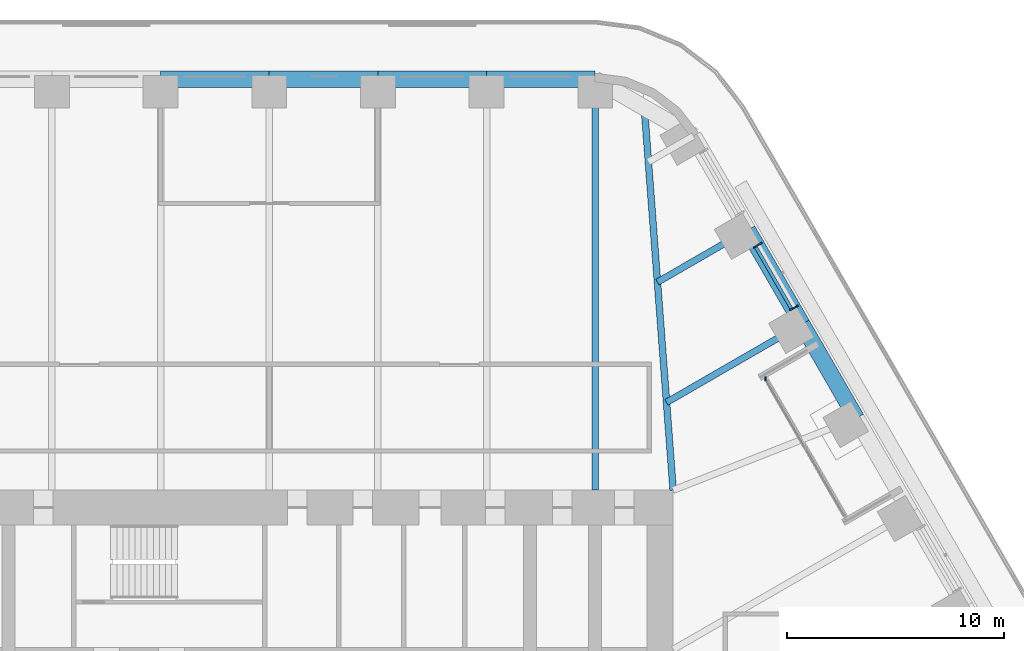
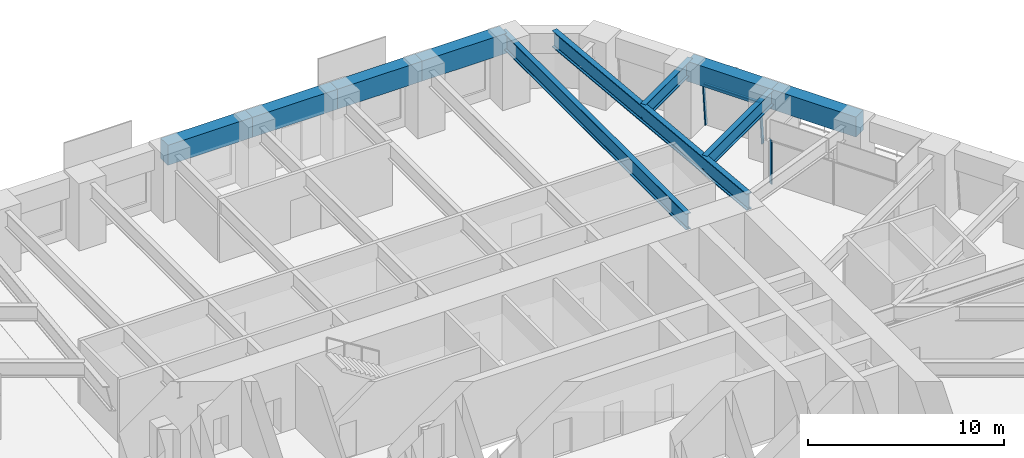
# One storey, part 12 of 24: 10 beams, 4 members, 2 elements without a shape of their own.
"""IFC4 building model written with IfcOpenShell, lengths in metres."""

from ifc_helpers import new_model, si_unit, direction, frame, origin, origin_2d, place, context, subcontext, project, spatial, rectangle, i_section, extrude, material, material_profile, profile_set, type_object, element, aggregate, save


model = new_model("IFC4")

# Units and contexts
model_context = context("Model", 3, precision=1e-05, world=origin(), true_north=direction((0.0, 1.0)))
body_context = subcontext(model_context, "Body", "Model", "MODEL_VIEW")
ifc_project = project(units=[si_unit("LENGTHUNIT", "METRE"), si_unit("AREAUNIT", "SQUARE_METRE"), si_unit("VOLUMEUNIT", "CUBIC_METRE"), si_unit("PLANEANGLEUNIT", "RADIAN"), si_unit("MASSUNIT", "GRAM", prefix="KILO")], contexts=[model_context])

# Site, building, storey
site_placement = place(None, origin())
site = spatial("IfcSite", under=ifc_project, at=site_placement, CompositionType="ELEMENT")
building_placement = place(site_placement, origin())
building = spatial("IfcBuilding", under=site, at=building_placement, Name="Tarfa Lantern Tower", CompositionType="ELEMENT")
storey_placement = place(building_placement, frame((0.0, 0.0, 157.300048828125)))
storey = spatial("IfcBuildingStorey", under=building, at=storey_placement, Name="L35", CompositionType="ELEMENT", Elevation=157.300048828125)

# Curtain wall, members
ifc_material_1 = material(Name="Aluminium framed curtain wall", Category="aluminium")
curtain_wall_type_1 = type_object("IfcCurtainWallType", Name="CW2 CANTED GLAZING MID ZONE 2750", PredefinedType="USERDEFINED", material=ifc_material_1)
curtain_wall_1_placement = place(storey_placement, origin())
curtain_wall_1 = element("IfcCurtainWall", 1, at=curtain_wall_1_placement, inside=storey, type_object=curtain_wall_type_1, Name="CW2 NEB L35", ObjectType="CURTAIN WALL", PredefinedType="USERDEFINED")
ifc_material_2 = material(Name="Aluminium mullion", Category="aluminium")
ifc_material_profile_1 = material_profile(ifc_material_2, rectangle(XDim=0.06494140625, YDim=0.199951171875, at=origin_2d()), Name="AL MULLION 65x200")
ifc_profile_set_1 = profile_set([ifc_material_profile_1], Name="Aluminium mullion")
member_type_1 = type_object("IfcMemberType", Name="CWM1 MULLION 65x200", PredefinedType="MULLION", material=ifc_profile_set_1)
member_1_placement = place(storey_placement, frame((24.275146484375, 20.75439453125, 0.0), z_axis=(-0.078422950161, -0.045267813396, 0.995891894715), x_axis=(0.499919672301, -0.866071776036, 0.0)))
member_1 = element("IfcMember", 2, at=member_1_placement, type_object=member_type_1, Name="CW2 mullion 1", PredefinedType="MULLION", context=body_context, shape_type="SweptSolid", body=[
    extrude(rectangle(XDim=0.06494140625, YDim=0.199951171875, at=origin_2d()), origin(), (0.0, 0.0, 1.0), 2.76123046875),
])
member_2_placement = place(storey_placement, frame((22.605712890625, 23.645751953125, 0.0), z_axis=(-0.078422950161, -0.045267813396, 0.995891894715), x_axis=(0.499919672301, -0.866071776036, 0.0)))
member_2 = element("IfcMember", 3, at=member_2_placement, type_object=member_type_1, Name="CW2 mullion 2", PredefinedType="MULLION", context=body_context, shape_type="SweptSolid", body=[
    extrude(rectangle(XDim=0.06494140625, YDim=0.199951171875, at=origin_2d()), origin(), (0.0, 0.0, 1.0), 2.76123046875),
])

# Curtain wall, member
curtain_wall_type_2 = type_object("IfcCurtainWallType", Name="CW10 LOGGIA GLAZING 2750", PredefinedType="USERDEFINED", material=ifc_material_1)
curtain_wall_2_placement = place(storey_placement, origin())
curtain_wall_2 = element("IfcCurtainWall", 4, at=curtain_wall_2_placement, inside=storey, type_object=curtain_wall_type_2, Name="CW10 NEL L35", ObjectType="CURTAIN WALL", PredefinedType="USERDEFINED")
member_3_placement = place(storey_placement, frame((22.84619140625, 17.429443359375, 0.0), z_axis=(0.0, 0.0, 1.0), x_axis=(1.0, 0.0, 0.0)))
member_3 = element("IfcMember", 5, at=member_3_placement, type_object=member_type_1, Name="CW10 mullion 3", PredefinedType="MULLION", context=body_context, shape_type="SweptSolid", body=[
    extrude(rectangle(XDim=0.06494140625, YDim=0.199951171875, at=origin_2d()), origin(), (0.0, 0.0, 1.0), 2.75),
])
aggregate(curtain_wall_2, [member_3])

# Member
ifc_material_3 = material(Name="Aluminium transom", Category="aluminium")
ifc_material_profile_2 = material_profile(ifc_material_3, rectangle(XDim=0.14990234375, YDim=0.06494140625, at=origin_2d()), Name="AL TRANSOM 150x65")
ifc_profile_set_2 = profile_set([ifc_material_profile_2], Name="Aluminium transom")
member_type_2 = type_object("IfcMemberType", Name="CWT1 TRANSOM 150x65", PredefinedType="USERDEFINED", material=ifc_profile_set_2)
member_4_placement = place(storey_placement, frame((24.044921875, 20.658935546875, 2.717529296875), z_axis=(-0.500012937857, 0.86601793398, 0.0), x_axis=(-0.86601793398, -0.500012937857, 0.0)))
member_4 = element("IfcMember", 6, at=member_4_placement, type_object=member_type_2, Name="CW2 transom 1.2", ObjectType="TRANSOM", PredefinedType="USERDEFINED", context=body_context, shape_type="SweptSolid", body=[
    extrude(rectangle(XDim=0.14990234375, YDim=0.06494140625, at=origin_2d()), origin(), (0.0, 0.0, 1.0), 3.27392578125),
])

aggregate(curtain_wall_1, [member_1, member_2, member_4])

# Beams
ifc_material_4 = material(Name="Concrete C80/95", Category="concrete")
ifc_material_profile_3 = material_profile(ifc_material_4, rectangle(XDim=0.75, YDim=1.25, at=origin_2d()), Name="RC 750x1250")
ifc_profile_set_3 = profile_set([ifc_material_profile_3], Name="Concrete C80/95")
beam_type_1 = type_object("IfcBeamType", Name="EB2 RC 750x1250", PredefinedType="SPANDREL", material=ifc_profile_set_3)
for number, where, z_axis, x_axis, name in (
    (7, (27.037353515625, 15.610107421875, 3.375), (-0.500022324899, 0.866012514114, 0.0), (-0.866012514114, -0.500022324899, 0.0), "Edge beam NE3"),
    (8, (24.535400390625, 19.943359375, 3.375), (-0.49998573051, 0.866033642122, 0.0), (-0.866033642122, -0.49998573051, 0.0), "Edge beam NE4"),
    (9, (15.010986328125, 31.219970703125, 3.375), (-1.0, 0.0, 0.0), (0.0, -1.0, 0.0), "Edge beam N0"),
    (10, (10.00732421875, 31.219970703125, 3.375), (-1.0, 0.0, 0.0), (0.0, -1.0, 0.0), "Edge beam N1"),
    (11, (5.003662109375, 31.219970703125, 3.375), (-1.0, 0.0, 0.0), (0.0, -1.0, 0.0), "Edge beam N2"),
    (12, (0.0, 31.219970703125, 3.375), (-1.0, 0.0, 0.0), (0.0, -1.0, 0.0), "Edge beam N3"),
):
    element("IfcBeam", number, at=place(storey_placement, frame(where, z_axis=z_axis, x_axis=x_axis)), inside=storey, type_object=beam_type_1, Name=name, PredefinedType="SPANDREL", context=body_context, shape_type="SweptSolid", body=[
        extrude(rectangle(XDim=0.75, YDim=1.25, at=origin_2d()), origin(), (0.0, 0.0, 1.0), 5.003662109375),
    ])
ifc_material_5 = material(Name="Steel S460M", Category="steel")
ifc_material_profile_4 = material_profile(ifc_material_5, i_section(OverallWidth=0.302001953125, OverallDepth=1.008056640625, WebThickness=0.02099609375, FlangeThickness=0.0400390625, FilletRadius=0.030029296875, at=origin_2d()), Name="UB1016x305x349")
ifc_profile_set_4 = profile_set([ifc_material_profile_4], Name="Steel S460M")
beam_type_2 = type_object("IfcBeamType", Name="UB1016x305x349", PredefinedType="BEAM", material=ifc_profile_set_4)
beam_1_placement = place(storey_placement, frame((15.010986328125, 31.219970703125, 3.495849609375), z_axis=(0.0, -1.0, 0.0), x_axis=(1.0, 0.0, 0.0)))
element("IfcBeam", 13, at=beam_1_placement, inside=storey, type_object=beam_type_2, Name="Floor beam N0", PredefinedType="BEAM", context=body_context, shape_type="SweptSolid", body=[
    extrude(i_section(OverallWidth=0.302001953125, OverallDepth=1.008056640625, WebThickness=0.02099609375, FlangeThickness=0.0400390625, FilletRadius=0.030029296875, at=origin_2d()), origin(), (0.0, 0.0, 1.0), 18.919921875),
])
ifc_material_profile_5 = material_profile(ifc_material_5, i_section(OverallWidth=0.30859375, OverallDepth=1.036376953125, WebThickness=0.030029296875, FlangeThickness=0.05419921875, FilletRadius=0.030029296875, at=origin_2d()), Name="UB1016x305x487")
ifc_profile_set_5 = profile_set([ifc_material_profile_5], Name="Steel S460M")
beam_type_3 = type_object("IfcBeamType", Name="UB1016x305x487", PredefinedType="BEAM", material=ifc_profile_set_5)
beam_2_placement = place(storey_placement, frame((18.60009765625, 12.300048828125, 3.481689453125), z_axis=(-0.075211516041, 0.99716760269, 0.0), x_axis=(-0.99716760269, -0.075211516041, 0.0)))
element("IfcBeam", 14, at=beam_2_placement, inside=storey, type_object=beam_type_3, Name="Hip girder NE", PredefinedType="BEAM", context=body_context, shape_type="SweptSolid", body=[
    extrude(i_section(OverallWidth=0.30859375, OverallDepth=1.036376953125, WebThickness=0.030029296875, FlangeThickness=0.05419921875, FilletRadius=0.030029296875, at=origin_2d()), origin(), (0.0, 0.0, 1.0), 17.6650390625),
])
ifc_material_profile_6 = material_profile(ifc_material_5, i_section(OverallWidth=0.305419921875, OverallDepth=0.91845703125, WebThickness=0.017333984375, FlangeThickness=0.02783203125, FilletRadius=0.01904296875, at=origin_2d()), Name="UB914x305x253")
ifc_profile_set_6 = profile_set([ifc_material_profile_6], Name="Steel S460M")
beam_type_4 = type_object("IfcBeamType", Name="UB914x305x253", PredefinedType="BEAM", material=ifc_profile_set_6)
beam_3_placement = place(storey_placement, frame((24.535400390625, 19.943359375, 3.540771484375), z_axis=(-0.86602647304, -0.499998147991, 0.0), x_axis=(0.499998147991, -0.86602647304, 0.0)))
element("IfcBeam", 15, at=beam_3_placement, inside=storey, type_object=beam_type_4, Name="Floor beam NE4", PredefinedType="BEAM", context=body_context, shape_type="SweptSolid", body=[
    extrude(i_section(OverallWidth=0.305419921875, OverallDepth=0.91845703125, WebThickness=0.017333984375, FlangeThickness=0.02783203125, FilletRadius=0.01904296875, at=origin_2d()), origin(), (0.0, 0.0, 1.0), 7.20556640625),
])
beam_4_placement = place(storey_placement, frame((22.03369140625, 24.276611328125, 3.540771484375), z_axis=(-0.866030550462, -0.499991085587, 0.0), x_axis=(0.499991085587, -0.866030550462, 0.0)))
element("IfcBeam", 16, at=beam_4_placement, inside=storey, type_object=beam_type_4, Name="Floor beam NE5", PredefinedType="BEAM", context=body_context, shape_type="SweptSolid", body=[
    extrude(i_section(OverallWidth=0.305419921875, OverallDepth=0.91845703125, WebThickness=0.017333984375, FlangeThickness=0.02783203125, FilletRadius=0.01904296875, at=origin_2d()), origin(), (0.0, 0.0, 1.0), 4.798828125),
])

save(model, "model.ifc")
